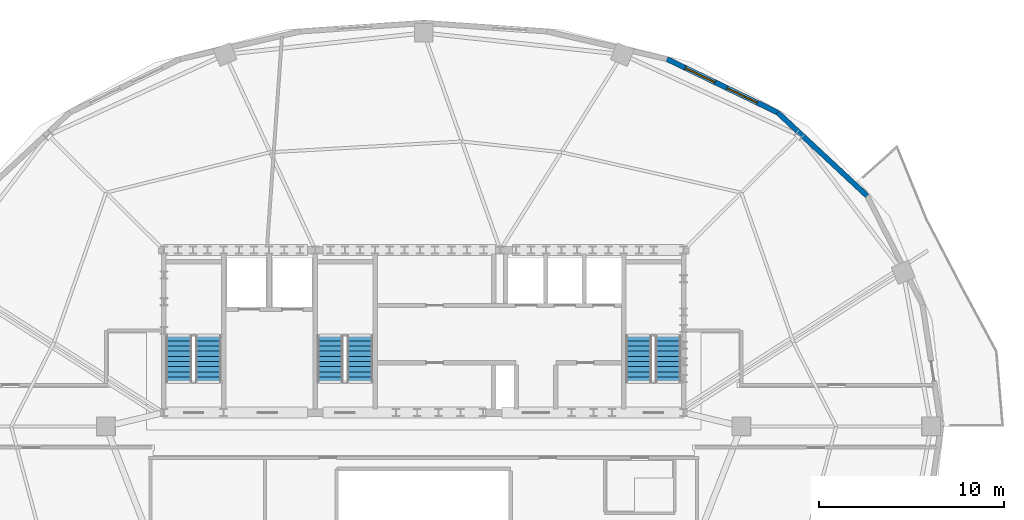
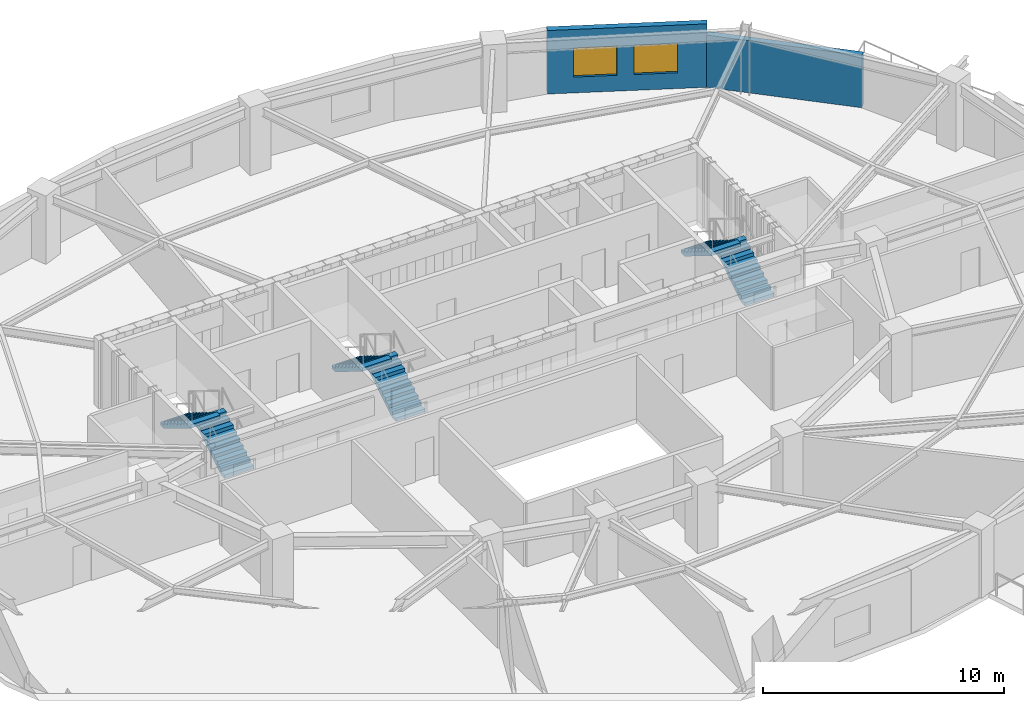
# One storey, part 6 of 11: 6 stair flights, 2 walls, 2 windows, 2 openings, 3 elements without a shape of their own.
"""IFC4 building model written with IfcOpenShell, lengths in metres."""

import ifcopenshell
import ifcopenshell.guid

model = None  # the IFC model being written
_history = None  # IfcOwnerHistory: only IFC2X3 demands one
_inside = {}  # id of a spatial element -> (the spatial element, [elements in it])
_under = {}  # id of a project, library or spatial element -> (it, [spatial elements below it])
_declared = {}  # id of a project -> (the project, [libraries it declares])
_typed = {}  # id of a type object -> (the type object, [elements of that type])
_made_of = {}  # id of a material, layer set ... -> (it, [elements and type objects made of it])


def new_model(schema):
    """Start an empty IFC model of exactly this schema.

    Asked for "IFC4X3", IfcOpenShell would pick the latest addendum, in which some entities
    have other attributes; the version numbers below select the first issue.
    IFC2X3 requires an IfcOwnerHistory on every rooted entity: one is made here for all.
    """
    global model, _history
    if schema == "IFC4X3":
        model = ifcopenshell.file(schema_version=(4, 3, 0, 0))
    else:
        model = ifcopenshell.file(schema=schema)
    _inside.clear()
    _under.clear()
    _declared.clear()
    _typed.clear()
    _made_of.clear()
    _history = None
    if model.schema == "IFC2X3":
        org = make("IfcOrganization", Name="unknown")
        user = make(
            "IfcPersonAndOrganization",
            ThePerson=make("IfcPerson", FamilyName="unknown"),
            TheOrganization=org,
        )
        app = make(
            "IfcApplication",
            ApplicationDeveloper=org,
            Version="unknown",
            ApplicationFullName="unknown",
            ApplicationIdentifier="unknown",
        )
        _history = make(
            "IfcOwnerHistory",
            OwningUser=user,
            OwningApplication=app,
            ChangeAction="ADDED",
            CreationDate=0,
        )
    return model


def make(cls, **values):
    """One entity of the class cls with the attributes given. An attribute that is None is left unset."""
    return model.create_entity(
        cls, **{name: value for name, value in values.items() if value is not None}
    )


def rooted(cls, **values):
    """An entity with a GlobalId (a new one), such as an element, a storey or a relation."""
    return make(cls, GlobalId=ifcopenshell.guid.new(), OwnerHistory=_history, **values)


def si_unit(unit_type, name, prefix=None):
    """IfcSIUnit, for example si_unit("LENGTHUNIT", "METRE", prefix="MILLI")."""
    return make("IfcSIUnit", UnitType=unit_type, Prefix=prefix, Name=name)


def assignment(units):
    """IfcUnitAssignment: the units of a project."""
    return None if units is None else make("IfcUnitAssignment", Units=units)


def point(xyz):
    """IfcCartesianPoint."""
    return None if xyz is None else make("IfcCartesianPoint", Coordinates=xyz)


def direction(xyz):
    """IfcDirection."""
    return None if xyz is None else make("IfcDirection", DirectionRatios=xyz)


def frame(location, z_axis=None, x_axis=None):
    """IfcAxis2Placement3D, a coordinate frame: its origin and axes. An axis left out is left unset."""
    return make(
        "IfcAxis2Placement3D",
        Location=point(location),
        Axis=direction(z_axis),
        RefDirection=direction(x_axis),
    )


def frame_2d(location, x_axis=None):
    """IfcAxis2Placement2D, a coordinate frame in the plane: its origin and x axis."""
    return make(
        "IfcAxis2Placement2D", Location=point(location), RefDirection=direction(x_axis)
    )


def origin():
    """The frame at (0, 0, 0) with its axes left unset."""
    return frame((0.0, 0.0, 0.0))


def place(relative_to, where):
    """IfcLocalPlacement: puts the frame where relative to a parent placement (None: the world)."""
    return make(
        "IfcLocalPlacement", PlacementRelTo=relative_to, RelativePlacement=where
    )


def context(
    kind, dimensions, precision=None, world=None, true_north=None, identifier=None
):
    """IfcGeometricRepresentationContext, for example the 3D "Model" context."""
    return make(
        "IfcGeometricRepresentationContext",
        ContextIdentifier=identifier,
        ContextType=kind,
        CoordinateSpaceDimension=dimensions,
        Precision=precision,
        WorldCoordinateSystem=world,
        TrueNorth=true_north,
    )


def subcontext(parent, identifier, kind, view, scale=None):
    """IfcGeometricRepresentationSubContext, for example "Body" below "Model"."""
    return make(
        "IfcGeometricRepresentationSubContext",
        ContextIdentifier=identifier,
        ContextType=kind,
        ParentContext=parent,
        TargetScale=scale,
        TargetView=view,
    )


def project(units=None, contexts=None):
    """IfcProject with its units and contexts."""
    return rooted(
        "IfcProject",
        Name="project",
        RepresentationContexts=contexts,
        UnitsInContext=assignment(units),
    )


def spatial(cls, under=None, at=None, **own):
    """A site, building, storey or space (cls), placed at a placement, below another one or the project."""
    s = rooted(cls, ObjectPlacement=at, **own)
    if under is not None:
        _under.setdefault(under.id(), (under, []))[1].append(s)
    return s


def polyline(points):
    """IfcPolyline through the points."""
    return make("IfcPolyline", Points=[point(p) for p in points])


def profile(cls, at=None, kind="AREA", **sizes):
    """A parametric profile (cls). Its sizes go by their IFC names, for example OverallWidth=200.0."""
    return make(cls, ProfileType=kind, Position=at, **sizes)


def rectangle(**sizes):
    """IfcRectangleProfileDef."""
    return profile("IfcRectangleProfileDef", **sizes)


def outline(outer, holes=None, kind="AREA"):
    """IfcArbitraryClosedProfileDef: a profile drawn as a closed curve; with holes, ...WithVoids."""
    if holes is None:
        return make("IfcArbitraryClosedProfileDef", ProfileType=kind, OuterCurve=outer)
    return make(
        "IfcArbitraryProfileDefWithVoids",
        ProfileType=kind,
        OuterCurve=outer,
        InnerCurves=holes,
    )


def extrude(swept, where, along, depth):
    """IfcExtrudedAreaSolid: the profile swept, set in the frame where, extruded along a direction by depth."""
    return make(
        "IfcExtrudedAreaSolid",
        SweptArea=swept,
        Position=where,
        ExtrudedDirection=direction(along),
        Depth=depth,
    )


def shape(context_of_items, identifier, shape_type, items):
    """IfcShapeRepresentation: the items that make up one representation, for example the "Body"."""
    return make(
        "IfcShapeRepresentation",
        ContextOfItems=context_of_items,
        RepresentationIdentifier=identifier,
        RepresentationType=shape_type,
        Items=items,
    )


def material(Name=None, Category=None):
    """IfcMaterial."""
    return make("IfcMaterial", Name=Name, Category=Category)


def layer(
    of_material, thickness, ventilated=None, Name=None, Category=None, Priority=None
):
    """IfcMaterialLayer: one layer of a wall or slab, of a material (None: an air gap)."""
    return make(
        "IfcMaterialLayer",
        Material=of_material,
        LayerThickness=thickness,
        IsVentilated=ventilated,
        Name=Name,
        Category=Category,
        Priority=Priority,
    )


def layer_set(layers, Name=None):
    """IfcMaterialLayerSet."""
    return make("IfcMaterialLayerSet", MaterialLayers=layers, LayerSetName=Name)


def made_of(thing, what):
    """Note that an element or type object is made of a material, layer set ...; save() writes the relation."""
    if what is not None:
        _made_of.setdefault(what.id(), (what, []))[1].append(thing)
    return thing


def type_object(cls, material=None, **own):
    """A type object (cls), such as IfcWallType, which elements share."""
    return made_of(rooted(cls, **own), material)


def element(
    cls,
    number,
    at=None,
    inside=None,
    cuts=None,
    type_object=None,
    material=None,
    context=None,
    identifier="Body",
    shape_type=None,
    held_by="IfcProductDefinitionShape",
    body=None,
    shapes=None,
    **own,
):
    """One element of the class cls, such as IfcWall. Its Tag is "e" and its number.

    at: its placement. inside: the storey or other place that contains it. cuts: it is an
    opening in that element (IfcRelVoidsElement). A single representation is given by context,
    identifier, shape_type and body (its items); several are given by shapes. held_by: the class
    of the entity that holds the representations. save() writes the other relations.
    """
    e = rooted(cls, Tag="e%d" % number, ObjectPlacement=at, **own)
    if body is not None:
        shapes = [shape(context, identifier, shape_type, body)]
    if shapes is not None:
        e.Representation = make(held_by, Representations=shapes)
    if inside is not None:
        _inside.setdefault(inside.id(), (inside, []))[1].append(e)
    if cuts is not None:
        rooted(
            "IfcRelVoidsElement", RelatingBuildingElement=cuts, RelatedOpeningElement=e
        )
    if type_object is not None:
        _typed.setdefault(type_object.id(), (type_object, []))[1].append(e)
    return made_of(e, material)


def fill(opening, filler):
    """IfcRelFillsElement: the door or window that sits in an opening."""
    return rooted(
        "IfcRelFillsElement",
        RelatingOpeningElement=opening,
        RelatedBuildingElement=filler,
    )


def aggregate(whole, parts):
    """IfcRelAggregates: a whole, such as a stair, and the parts it consists of."""
    return rooted("IfcRelAggregates", RelatingObject=whole, RelatedObjects=parts)


def save(model, path):
    """Write the relations noted so far, then the file.

    IfcRelAggregates (storeys below a building ...), IfcRelContainedInSpatialStructure (elements
    in a storey), IfcRelDefinesByType, IfcRelAssociatesMaterial and IfcRelDeclares: one each for
    every whole, place, type object, material and project.
    """
    for whole, parts in _under.values():
        aggregate(whole, parts)
    for where, things in _inside.values():
        rooted(
            "IfcRelContainedInSpatialStructure",
            RelatedElements=things,
            RelatingStructure=where,
        )
    for kind, things in _typed.values():
        rooted("IfcRelDefinesByType", RelatedObjects=things, RelatingType=kind)
    for what, things in _made_of.values():
        rooted("IfcRelAssociatesMaterial", RelatedObjects=things, RelatingMaterial=what)
    for by, libraries in _declared.values():
        rooted("IfcRelDeclares", RelatingContext=by, RelatedDefinitions=libraries)
    model.write(path)


model = new_model("IFC4")

# Units and contexts
model_context = context("Model", 3, precision=1e-05, world=origin(), true_north=direction((0.0, 1.0)))
body_context = subcontext(model_context, "Body", "Model", "MODEL_VIEW")
ifc_project = project(units=[si_unit("LENGTHUNIT", "METRE"), si_unit("AREAUNIT", "SQUARE_METRE"), si_unit("VOLUMEUNIT", "CUBIC_METRE"), si_unit("PLANEANGLEUNIT", "RADIAN"), si_unit("MASSUNIT", "GRAM", prefix="KILO")], contexts=[model_context])

# Site, building, storey
site_placement = place(None, origin())
site = spatial("IfcSite", under=ifc_project, at=site_placement, CompositionType="ELEMENT")
building_placement = place(site_placement, origin())
building = spatial("IfcBuilding", under=site, at=building_placement, Name="Haldorwick Loom Tower", CompositionType="ELEMENT")
storey_placement = place(building_placement, frame((0.0, 0.0, 227.10009765625)))
storey = spatial("IfcBuildingStorey", under=building, at=storey_placement, Name="L61", CompositionType="ELEMENT", Elevation=227.10009765625)

# Wall
ifc_material_1 = material(Name="Pressed Clay Face Brick and Insulated Masonry Backup Assembly", Category="masonry")
ifc_layer = layer(ifc_material_1, 0.280029296875, Name="Pressed Clay Face Brick and Insulated Masonry Backup Assembly", Category="masonry")
ifc_layer_set = layer_set([ifc_layer], Name="Pressed Clay Face Brick and Insulated Masonry Backup Assembly")
wall_type = type_object("IfcWallType", Name="ARC-WL-EXT280", PredefinedType="STANDARD", material=ifc_layer_set)
wall_1_placement = place(storey_placement, frame((60.005615234375, 38.4853515625, 0.0), z_axis=(0.0, 0.0, 1.0), x_axis=(-0.731833707499, 0.681483253329, 0.0)))
element("IfcWall", 1, at=wall_1_placement, inside=storey, type_object=wall_type, Name="L61 Brick Pier and Spandrel Wall 3", PredefinedType="STANDARD", context=body_context, shape_type="SweptSolid", body=[
    extrude(rectangle(XDim=6.61865234375, YDim=0.280029296875, at=frame_2d((3.309326171875, 0.0))), origin(), (0.0, 0.0, 1.0), 2.640869140625),
])

# Wall, openings, windows
wall_2_placement = place(storey_placement, frame((55.161865234375, 42.995849609375, 0.0), z_axis=(0.0, 0.0, 1.0), x_axis=(-0.900371236029, 0.435122554381, 0.0)))
wall_2 = element("IfcWall", 2, at=wall_2_placement, inside=storey, type_object=wall_type, Name="L61 Brick Pier and Spandrel Wall 4", PredefinedType="STANDARD", context=body_context, shape_type="SweptSolid", body=[
    extrude(rectangle(XDim=6.6533203125, YDim=0.280029296875, at=frame_2d((3.32666015625, 0.0))), origin(), (0.0, 0.0, 1.0), 3.2099609375),
])
opening_1_placement = place(wall_2_placement, frame((1.234375, 0.0, 0.800048828125)))
opening_1 = element("IfcOpeningElement", 3, at=opening_1_placement, cuts=wall_2, Name="Opening W-01", PredefinedType="OPENING", context=body_context, shape_type="SweptSolid", body=[
    extrude(rectangle(XDim=1.800048828125, YDim=1.47998046875, at=frame_2d((0.89990234375, 0.739990234375))), frame((0.0, 0.14990234375, 0.0), z_axis=(0.0, -1.0, 0.0), x_axis=(1.0, 0.0, 0.0)), (0.0, 0.0, 1.0), 0.300048828125),
])
opening_2_placement = place(wall_2_placement, frame((3.75732421875, 0.0, 0.800048828125)))
opening_2 = element("IfcOpeningElement", 4, at=opening_2_placement, cuts=wall_2, Name="Opening W-01", PredefinedType="OPENING", context=body_context, shape_type="SweptSolid", body=[
    extrude(rectangle(XDim=1.800048828125, YDim=1.47998046875, at=frame_2d((0.89990234375, 0.739990234375))), frame((0.0, 0.14990234375, 0.0), z_axis=(0.0, -1.0, 0.0), x_axis=(1.0, 0.0, 0.0)), (0.0, 0.0, 1.0), 0.300048828125),
])
ifc_material_2 = material(Name="Triple-Glazed Low-E Argon Insulated Glazing Unit", Category="glass")
window_type = type_object("IfcWindowType", Name="ARC-WIN-W180", PartitioningType="SINGLE_PANEL", PredefinedType="WINDOW", material=ifc_material_2)
window_1_placement = place(opening_1_placement, origin())
window_1 = element("IfcWindow", 5, at=window_1_placement, inside=storey, type_object=window_type, Name="L61 Deep-Set Zone 7A Window 4", OverallHeight=1.47998046875, OverallWidth=1.800048828125, PartitioningType="SINGLE_PANEL", PredefinedType="WINDOW", context=body_context, shape_type="SweptSolid", body=[
    extrude(rectangle(XDim=1.800048828125, YDim=1.47998046875, at=frame_2d((0.89990234375, 0.739990234375))), frame((0.0, 0.030029296875, 0.0), z_axis=(0.0, -1.0, 0.0), x_axis=(1.0, 0.0, 0.0)), (0.0, 0.0, 1.0), 0.06005859375),
])
fill(opening_1, window_1)
window_2_placement = place(opening_2_placement, origin())
window_2 = element("IfcWindow", 6, at=window_2_placement, inside=storey, type_object=window_type, Name="L61 Deep-Set Zone 7A Window 4", OverallHeight=1.47998046875, OverallWidth=1.800048828125, PartitioningType="SINGLE_PANEL", PredefinedType="WINDOW", context=body_context, shape_type="SweptSolid", body=[
    extrude(rectangle(XDim=1.800048828125, YDim=1.47998046875, at=frame_2d((0.89990234375, 0.739990234375))), frame((0.0, 0.030029296875, 0.0), z_axis=(0.0, -1.0, 0.0), x_axis=(1.0, 0.0, 0.0)), (0.0, 0.0, 1.0), 0.06005859375),
])
fill(opening_2, window_2)

# Stair, stair flights
ifc_material_3 = material(Name="Concrete C40 (40 MPa)", Category="concrete")
stair_type = type_object("IfcStairType", Name="STR-STR-CORE", PredefinedType="HALF_TURN_STAIR", material=ifc_material_3)
stair_1_placement = place(storey_placement, origin())
stair_1 = element("IfcStair", 7, at=stair_1_placement, inside=storey, type_object=stair_type, Name="L61 Exit Stair ST-01", PredefinedType="HALF_TURN_STAIR")
stair_flight_type = type_object("IfcStairFlightType", Name="STR-STF-1250", PredefinedType="STRAIGHT", material=ifc_material_3)
stair_flight_1_placement = place(storey_placement, frame((24.35009765625, 28.39990234375, 0.0), z_axis=(0.0, 0.0, 1.0), x_axis=(0.0, 1.0, 0.0)))
stair_flight_1 = element("IfcStairFlight", 8, at=stair_flight_1_placement, type_object=stair_flight_type, Name="ST-01 flight 1", NumberOfRisers=10, NumberOfTreads=9, PredefinedType="STRAIGHT", RiserHeight=0.1725, TreadLength=0.28, context=body_context, shape_type="SweptSolid", body=[
    extrude(outline(polyline([(0.0, 0.0), (0.0, 0.172607421875), (0.280029296875, 0.172607421875), (0.280029296875, 0.344970703125), (0.56005859375, 0.344970703125), (0.56005859375, 0.517578125), (0.840087890625, 0.517578125), (0.840087890625, 0.68994140625), (1.1201171875, 0.68994140625), (1.1201171875, 0.862548828125), (1.39990234375, 0.862548828125), (1.39990234375, 1.034912109375), (1.679931640625, 1.034912109375), (1.679931640625, 1.20751953125), (1.9599609375, 1.20751953125), (1.9599609375, 1.3798828125), (2.239990234375, 1.3798828125), (2.239990234375, 1.552490234375), (2.52001953125, 1.552490234375), (2.52001953125, 1.72509765625), (2.52001953125, 1.37646484375), (0.285888671875, 0.0), (0.0, 0.0)])), frame((0.0, 0.699951171875, 0.0), z_axis=(0.0, -1.0, 0.0), x_axis=(1.0, 0.0, 0.0)), (0.0, 0.0, 1.0), 1.39990234375),
])
stair_flight_2_placement = place(storey_placement, frame((22.75, 30.919921875, 1.724853515625), z_axis=(0.0, 0.0, 1.0), x_axis=(0.0, -1.0, 0.0)))
stair_flight_2 = element("IfcStairFlight", 9, at=stair_flight_2_placement, type_object=stair_flight_type, Name="ST-01 flight 2", NumberOfRisers=10, NumberOfTreads=9, PredefinedType="STRAIGHT", RiserHeight=0.1725, TreadLength=0.28, context=body_context, shape_type="SweptSolid", body=[
    extrude(outline(polyline([(0.0, 0.0), (0.0, 0.172607421875), (0.280029296875, 0.172607421875), (0.280029296875, 0.344970703125), (0.56005859375, 0.344970703125), (0.56005859375, 0.517578125), (0.840087890625, 0.517578125), (0.840087890625, 0.68994140625), (1.1201171875, 0.68994140625), (1.1201171875, 0.862548828125), (1.39990234375, 0.862548828125), (1.39990234375, 1.034912109375), (1.679931640625, 1.034912109375), (1.679931640625, 1.20751953125), (1.9599609375, 1.20751953125), (1.9599609375, 1.3798828125), (2.239990234375, 1.3798828125), (2.239990234375, 1.552490234375), (2.52001953125, 1.552490234375), (2.52001953125, 1.72509765625), (2.52001953125, 1.37646484375), (0.285888671875, 0.0), (0.0, 0.0)])), frame((0.0, 0.699951171875, 0.0), z_axis=(0.0, -1.0, 0.0), x_axis=(1.0, 0.0, 0.0)), (0.0, 0.0, 1.0), 1.39990234375),
])
aggregate(stair_1, [stair_flight_1, stair_flight_2])

stair_2_placement = place(storey_placement, origin())
stair_2 = element("IfcStair", 10, at=stair_2_placement, inside=storey, type_object=stair_type, Name="L61 Exit Stair ST-02", PredefinedType="HALF_TURN_STAIR")
stair_flight_3_placement = place(storey_placement, frame((49.25, 28.39990234375, 0.0), z_axis=(0.0, 0.0, 1.0), x_axis=(0.0, 1.0, 0.0)))
stair_flight_3 = element("IfcStairFlight", 11, at=stair_flight_3_placement, type_object=stair_flight_type, Name="ST-02 flight 1", NumberOfRisers=10, NumberOfTreads=9, PredefinedType="STRAIGHT", RiserHeight=0.1725, TreadLength=0.28, context=body_context, shape_type="SweptSolid", body=[
    extrude(outline(polyline([(0.0, 0.0), (0.0, 0.172607421875), (0.280029296875, 0.172607421875), (0.280029296875, 0.344970703125), (0.56005859375, 0.344970703125), (0.56005859375, 0.517578125), (0.840087890625, 0.517578125), (0.840087890625, 0.68994140625), (1.1201171875, 0.68994140625), (1.1201171875, 0.862548828125), (1.39990234375, 0.862548828125), (1.39990234375, 1.034912109375), (1.679931640625, 1.034912109375), (1.679931640625, 1.20751953125), (1.9599609375, 1.20751953125), (1.9599609375, 1.3798828125), (2.239990234375, 1.3798828125), (2.239990234375, 1.552490234375), (2.52001953125, 1.552490234375), (2.52001953125, 1.72509765625), (2.52001953125, 1.37646484375), (0.285888671875, 0.0), (0.0, 0.0)])), frame((0.0, 0.699951171875, 0.0), z_axis=(0.0, -1.0, 0.0), x_axis=(1.0, 0.0, 0.0)), (0.0, 0.0, 1.0), 1.39990234375),
])
stair_flight_4_placement = place(storey_placement, frame((47.64990234375, 30.919921875, 1.724853515625), z_axis=(0.0, 0.0, 1.0), x_axis=(0.0, -1.0, 0.0)))
stair_flight_4 = element("IfcStairFlight", 12, at=stair_flight_4_placement, type_object=stair_flight_type, Name="ST-02 flight 2", NumberOfRisers=10, NumberOfTreads=9, PredefinedType="STRAIGHT", RiserHeight=0.1725, TreadLength=0.28, context=body_context, shape_type="SweptSolid", body=[
    extrude(outline(polyline([(0.0, 0.0), (0.0, 0.172607421875), (0.280029296875, 0.172607421875), (0.280029296875, 0.344970703125), (0.56005859375, 0.344970703125), (0.56005859375, 0.517578125), (0.840087890625, 0.517578125), (0.840087890625, 0.68994140625), (1.1201171875, 0.68994140625), (1.1201171875, 0.862548828125), (1.39990234375, 0.862548828125), (1.39990234375, 1.034912109375), (1.679931640625, 1.034912109375), (1.679931640625, 1.20751953125), (1.9599609375, 1.20751953125), (1.9599609375, 1.3798828125), (2.239990234375, 1.3798828125), (2.239990234375, 1.552490234375), (2.52001953125, 1.552490234375), (2.52001953125, 1.72509765625), (2.52001953125, 1.37646484375), (0.285888671875, 0.0), (0.0, 0.0)])), frame((0.0, 0.699951171875, 0.0), z_axis=(0.0, -1.0, 0.0), x_axis=(1.0, 0.0, 0.0)), (0.0, 0.0, 1.0), 1.39990234375),
])
aggregate(stair_2, [stair_flight_3, stair_flight_4])

stair_3_placement = place(storey_placement, origin())
stair_3 = element("IfcStair", 13, at=stair_3_placement, inside=storey, type_object=stair_type, Name="L61 Exit Stair ST-03", PredefinedType="HALF_TURN_STAIR")
stair_flight_5_placement = place(storey_placement, frame((32.550048828125, 28.39990234375, 0.0), z_axis=(0.0, 0.0, 1.0), x_axis=(0.0, 1.0, 0.0)))
stair_flight_5 = element("IfcStairFlight", 14, at=stair_flight_5_placement, type_object=stair_flight_type, Name="ST-03 flight 1", NumberOfRisers=10, NumberOfTreads=9, PredefinedType="STRAIGHT", RiserHeight=0.1725, TreadLength=0.28, context=body_context, shape_type="SweptSolid", body=[
    extrude(outline(polyline([(0.0, 0.0), (0.0, 0.172607421875), (0.280029296875, 0.172607421875), (0.280029296875, 0.344970703125), (0.56005859375, 0.344970703125), (0.56005859375, 0.517578125), (0.840087890625, 0.517578125), (0.840087890625, 0.68994140625), (1.1201171875, 0.68994140625), (1.1201171875, 0.862548828125), (1.39990234375, 0.862548828125), (1.39990234375, 1.034912109375), (1.679931640625, 1.034912109375), (1.679931640625, 1.20751953125), (1.9599609375, 1.20751953125), (1.9599609375, 1.3798828125), (2.239990234375, 1.3798828125), (2.239990234375, 1.552490234375), (2.52001953125, 1.552490234375), (2.52001953125, 1.72509765625), (2.52001953125, 1.37646484375), (0.285888671875, 0.0), (0.0, 0.0)])), frame((0.0, 0.699951171875, 0.0), z_axis=(0.0, -1.0, 0.0), x_axis=(1.0, 0.0, 0.0)), (0.0, 0.0, 1.0), 1.39990234375),
])
stair_flight_6_placement = place(storey_placement, frame((30.949951171875, 30.919921875, 1.724853515625), z_axis=(0.0, 0.0, 1.0), x_axis=(0.0, -1.0, 0.0)))
stair_flight_6 = element("IfcStairFlight", 15, at=stair_flight_6_placement, type_object=stair_flight_type, Name="ST-03 flight 2", NumberOfRisers=10, NumberOfTreads=9, PredefinedType="STRAIGHT", RiserHeight=0.1725, TreadLength=0.28, context=body_context, shape_type="SweptSolid", body=[
    extrude(outline(polyline([(0.0, 0.0), (0.0, 0.172607421875), (0.280029296875, 0.172607421875), (0.280029296875, 0.344970703125), (0.56005859375, 0.344970703125), (0.56005859375, 0.517578125), (0.840087890625, 0.517578125), (0.840087890625, 0.68994140625), (1.1201171875, 0.68994140625), (1.1201171875, 0.862548828125), (1.39990234375, 0.862548828125), (1.39990234375, 1.034912109375), (1.679931640625, 1.034912109375), (1.679931640625, 1.20751953125), (1.9599609375, 1.20751953125), (1.9599609375, 1.3798828125), (2.239990234375, 1.3798828125), (2.239990234375, 1.552490234375), (2.52001953125, 1.552490234375), (2.52001953125, 1.72509765625), (2.52001953125, 1.37646484375), (0.285888671875, 0.0), (0.0, 0.0)])), frame((0.0, 0.699951171875, 0.0), z_axis=(0.0, -1.0, 0.0), x_axis=(1.0, 0.0, 0.0)), (0.0, 0.0, 1.0), 1.39990234375),
])
aggregate(stair_3, [stair_flight_5, stair_flight_6])

save(model, "model.ifc")
